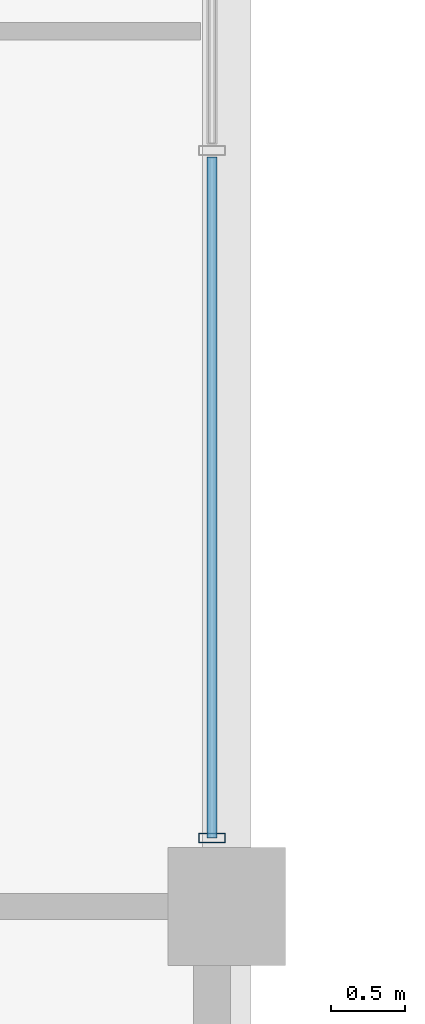
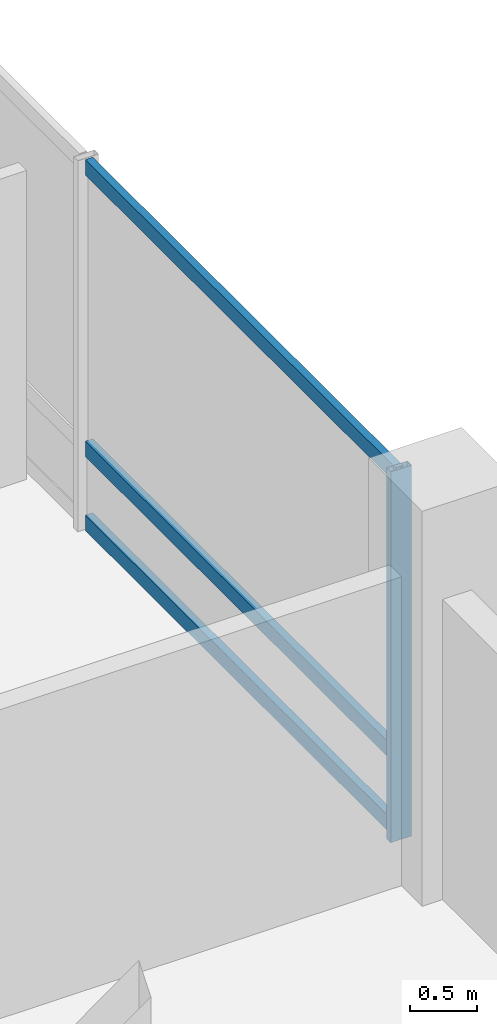
# One storey, part 8 of 23: 4 members, 1 element without a shape of its own.
"""IFC4 building model written with IfcOpenShell, lengths in metres."""

from ifc_helpers import new_model, si_unit, direction, frame, origin, origin_2d, place, context, subcontext, project, spatial, hollow_rectangle, extrude, material, layer, layer_set, material_profile, profile_set, type_object, element, aggregate, save


model = new_model("IFC4")

# Units and contexts
model_context = context("Model", 3, precision=1e-05, world=origin(), true_north=direction((0.0, 1.0)))
body_context = subcontext(model_context, "Body", "Model", "MODEL_VIEW")
ifc_project = project(units=[si_unit("LENGTHUNIT", "METRE"), si_unit("AREAUNIT", "SQUARE_METRE"), si_unit("VOLUMEUNIT", "CUBIC_METRE"), si_unit("PLANEANGLEUNIT", "RADIAN"), si_unit("MASSUNIT", "GRAM", prefix="KILO")], contexts=[model_context])

# Site, building, storey
site_placement = place(None, origin())
site = spatial("IfcSite", under=ifc_project, at=site_placement, CompositionType="ELEMENT")
building_placement = place(site_placement, origin())
building = spatial("IfcBuilding", under=site, at=building_placement, Name="Barlavira Tower and Art Museum", CompositionType="ELEMENT")
storey_placement = place(building_placement, frame((0.0, 0.0, 64.800048828125)))
storey = spatial("IfcBuildingStorey", under=building, at=storey_placement, Name="L15", CompositionType="ELEMENT", Elevation=64.800048828125)

# Curtain wall, members
ifc_material_1 = material(Name="Low-iron coastal laminated glass", Category="glass")
ifc_layer = layer(ifc_material_1, 0.179931640625, Name="Low-iron coastal laminated glass")
ifc_layer_set = layer_set([ifc_layer], Name="Low-iron coastal laminated glass")
curtain_wall_type = type_object("IfcCurtainWallType", Name="Pale-Metal Unitised Curtain Wall Zone 1", PredefinedType="NOTDEFINED", material=ifc_layer_set)
curtain_wall_placement = place(storey_placement, origin())
curtain_wall = element("IfcCurtainWall", 1, at=curtain_wall_placement, inside=storey, type_object=curtain_wall_type, Name="L15 Curtain Wall CW1-L15-E-B3", PredefinedType="NOTDEFINED")
ifc_material_2 = material(Name="Pale anodised aluminium", Category="aluminium")
ifc_material_profile_1 = material_profile(ifc_material_2, hollow_rectangle(XDim=0.06494140625, YDim=0.179931640625, WallThickness=0.00390625, at=origin_2d()), Name="ALU-MULL 65x180x4")
ifc_profile_set_1 = profile_set([ifc_material_profile_1], Name="Pale anodised aluminium")
member_type_1 = type_object("IfcMemberType", Name="Curtain Wall Pale-Metal Mullion 65x180", PredefinedType="MULLION", material=ifc_profile_set_1)
member_1_placement = place(storey_placement, frame((21.89990234375, -7.034912109375, 0.0), z_axis=(0.0, 0.0, 1.0), x_axis=(0.0, 1.0, 0.0)))
member_1 = element("IfcMember", 2, at=member_1_placement, type_object=member_type_1, Name="CW1-L15-E-B3 Mullion 0", PredefinedType="MULLION", context=body_context, shape_type="SweptSolid", body=[
    extrude(hollow_rectangle(XDim=0.06494140625, YDim=0.179931640625, WallThickness=0.00390625, at=origin_2d()), origin(), (0.0, 0.0, 1.0), 3.3798828125),
])
ifc_material_profile_2 = material_profile(ifc_material_2, hollow_rectangle(XDim=0.06494140625, YDim=0.139892578125, WallThickness=0.00390625, at=origin_2d()), Name="ALU-TRAN 65x140x4")
ifc_profile_set_2 = profile_set([ifc_material_profile_2], Name="Pale anodised aluminium")
member_type_2 = type_object("IfcMemberType", Name="Curtain Wall Pale-Metal Transom 65x140", PredefinedType="USERDEFINED", material=ifc_profile_set_2)
member_2_placement = place(storey_placement, frame((21.89990234375, -7.034912109375, 0.070068359375), z_axis=(0.0, 1.0, 0.0), x_axis=(-1.0, 0.0, 0.0)))
member_2 = element("IfcMember", 3, at=member_2_placement, type_object=member_type_2, Name="CW1-L15-E-B3 Transom 0.1", ObjectType="TRANSOM", PredefinedType="USERDEFINED", context=body_context, shape_type="SweptSolid", body=[
    extrude(hollow_rectangle(XDim=0.06494140625, YDim=0.139892578125, WallThickness=0.00390625, at=origin_2d()), origin(), (0.0, 0.0, 1.0), 4.6298828125),
])
member_3_placement = place(storey_placement, frame((21.89990234375, -7.034912109375, 0.743896484375), z_axis=(0.0, 1.0, 0.0), x_axis=(-1.0, 0.0, 0.0)))
member_3 = element("IfcMember", 4, at=member_3_placement, type_object=member_type_2, Name="CW1-L15-E-B3 Transom 0.2", ObjectType="TRANSOM", PredefinedType="USERDEFINED", context=body_context, shape_type="SweptSolid", body=[
    extrude(hollow_rectangle(XDim=0.06494140625, YDim=0.139892578125, WallThickness=0.00390625, at=origin_2d()), origin(), (0.0, 0.0, 1.0), 4.6298828125),
])
member_4_placement = place(storey_placement, frame((21.89990234375, -7.034912109375, 3.31005859375), z_axis=(0.0, 1.0, 0.0), x_axis=(-1.0, 0.0, 0.0)))
member_4 = element("IfcMember", 5, at=member_4_placement, type_object=member_type_2, Name="CW1-L15-E-B3 Transom 0.3", ObjectType="TRANSOM", PredefinedType="USERDEFINED", context=body_context, shape_type="SweptSolid", body=[
    extrude(hollow_rectangle(XDim=0.06494140625, YDim=0.139892578125, WallThickness=0.00390625, at=origin_2d()), origin(), (0.0, 0.0, 1.0), 4.6298828125),
])
aggregate(curtain_wall, [member_1, member_2, member_3, member_4])

save(model, "model.ifc")
